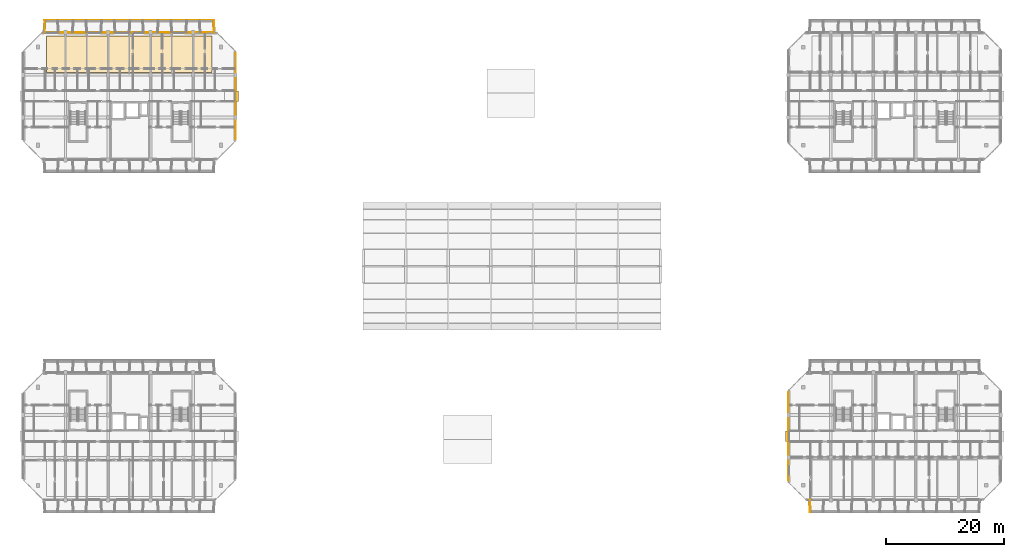
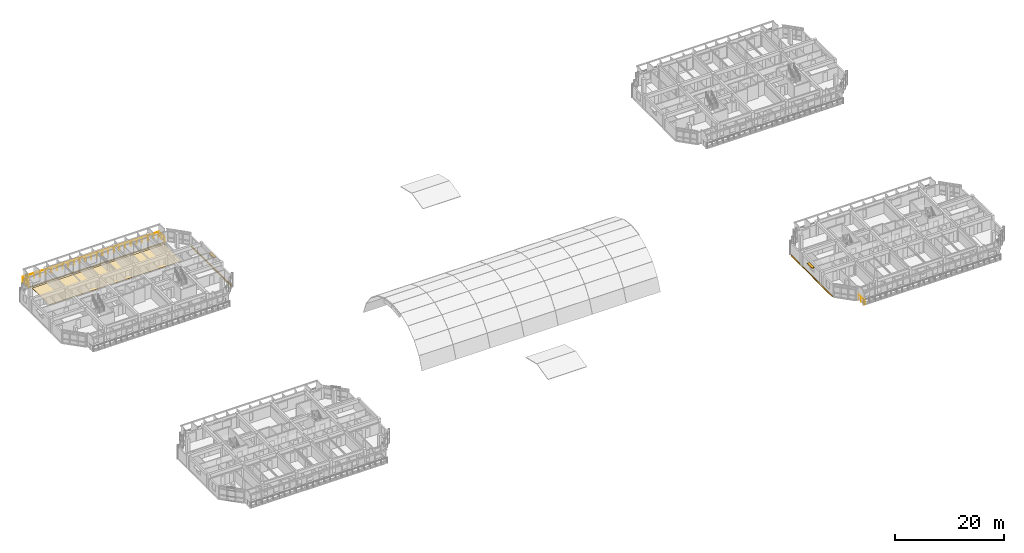
# One storey, part 46 of 51: 4 coverings, 4 railings, 2 shading devices.
"""IFC4 building model written with IfcOpenShell, lengths in metres."""

from ifc_helpers import new_model, si_unit, direction, frame, origin, origin_2d, place, context, subcontext, project, spatial, polyline, rectangle, circle, outline, extrude, material, layer, layer_set, type_object, element, save


model = new_model("IFC4")

# Units and contexts
model_context = context("Model", 3, precision=1e-05, world=origin(), true_north=direction((0.0, 1.0)))
body_context = subcontext(model_context, "Body", "Model", "MODEL_VIEW")
ifc_project = project(units=[si_unit("LENGTHUNIT", "METRE"), si_unit("AREAUNIT", "SQUARE_METRE"), si_unit("VOLUMEUNIT", "CUBIC_METRE"), si_unit("PLANEANGLEUNIT", "RADIAN"), si_unit("MASSUNIT", "GRAM", prefix="KILO")], contexts=[model_context])

# Site, building, storey
site_placement = place(None, origin())
site = spatial("IfcSite", under=ifc_project, at=site_placement, CompositionType="ELEMENT")
building_placement = place(site_placement, origin())
building = spatial("IfcBuilding", under=site, at=building_placement, Name="Ochrevale Crest", CompositionType="ELEMENT")
storey_placement = place(building_placement, frame((0.0, 0.0, 11.85009765625)))
storey = spatial("IfcBuildingStorey", under=building, at=storey_placement, Name="L03", CompositionType="ELEMENT", Elevation=11.85009765625)

# Coverings
ifc_material_1 = material(Name="Glazed terracotta rainscreen tile", Category="masonry")
ifc_layer_1 = layer(ifc_material_1, 0.048095703125)
ifc_layer_set_1 = layer_set([ifc_layer_1], Name="Glazed terracotta rainscreen tile")
covering_type_1 = type_object("IfcCoveringType", Name="COV-CLAD-TER", PredefinedType="CLADDING", material=ifc_layer_set_1)
covering_1_placement = place(storey_placement, frame((36.014404296875, 82.800048828125, -0.26025390625), z_axis=(0.0, 0.0, 1.0), x_axis=(0.0, 1.0, 0.0)))
element("IfcCovering", 1, at=covering_1_placement, inside=storey, type_object=covering_type_1, Name="Block B L03 terracotta slab-edge spandrel cladding", PredefinedType="CLADDING", context=body_context, shape_type="SweptSolid", body=[
    extrude(rectangle(XDim=14.60009765625, YDim=0.06005859375, at=origin_2d()), origin(), (0.0, 0.0, 1.0), 0.280029296875),
])
covering_2_placement = place(storey_placement, frame((18.0, 93.612548828125, -0.26025390625), z_axis=(0.0, 0.0, 1.0), x_axis=(-1.0, 0.0, 0.0)))
element("IfcCovering", 2, at=covering_2_placement, inside=storey, type_object=covering_type_1, Name="Block B L03 terracotta slab-edge spandrel cladding", PredefinedType="CLADDING", context=body_context, shape_type="SweptSolid", body=[
    extrude(rectangle(XDim=29.0, YDim=0.06005859375, at=origin_2d()), origin(), (0.0, 0.0, 1.0), 0.280029296875),
])
covering_3_placement = place(storey_placement, frame((129.58544921875, 25.199951171875, -0.26025390625), z_axis=(0.0, 0.0, 1.0), x_axis=(0.0, -1.0, 0.0)))
element("IfcCovering", 3, at=covering_3_placement, inside=storey, type_object=covering_type_1, Name="Block C L03 terracotta slab-edge spandrel cladding", PredefinedType="CLADDING", context=body_context, shape_type="SweptSolid", body=[
    extrude(rectangle(XDim=15.0, YDim=0.06005859375, at=origin_2d()), origin(), (0.0, 0.0, 1.0), 0.280029296875),
])
ifc_material_2 = material(Name="Engineered spotted-gum hardwood flooring", Category="wood")
ifc_layer_2 = layer(ifc_material_2, 0.02001953125)
ifc_layer_set_2 = layer_set([ifc_layer_2], Name="Engineered spotted-gum hardwood flooring")
covering_type_2 = type_object("IfcCoveringType", Name="COV-FLR-TIM", PredefinedType="FLOORING", material=ifc_layer_set_2)
covering_4_placement = place(storey_placement, origin())
element("IfcCovering", 4, at=covering_4_placement, inside=storey, type_object=covering_type_2, Name="Block B L03 spotted-gum apartment flooring", PredefinedType="FLOORING", context=body_context, shape_type="SweptSolid", body=[
    extrude(outline(polyline([(4.0, 86.800048828125), (32.0, 86.800048828125), (32.0, 93.0), (4.0, 93.0), (4.0, 86.800048828125)])), origin(), (0.0, 0.0, 1.0), 0.02001953125),
])

# Railings
ifc_material_3 = material(Name="Galvanised steel", Category="steel")
railing_type = type_object("IfcRailingType", Name="RL-BAL-1100", PredefinedType="BALUSTRADE", material=ifc_material_3)
railing_1_placement = place(storey_placement, frame((3.60009765625, 95.639892578125, 0.0)))
element("IfcRailing", 5, at=railing_1_placement, inside=storey, type_object=railing_type, Name="Block B L03 N balcony front balustrade", PredefinedType="BALUSTRADE", context=body_context, shape_type="SweptSolid", body=[
    extrude(circle(Radius=0.02392578125, at=origin_2d()), frame((0.0, 0.0, 1.0859375), z_axis=(1.0, 0.0, 0.0), x_axis=(0.0, 1.0, 0.0)), (0.0, 0.0, 1.0), 28.7998046875),
    extrude(circle(Radius=0.02099609375, at=origin_2d()), origin(), (0.0, 0.0, 1.0), 1.06201171875),
    extrude(circle(Radius=0.02099609375, at=origin_2d()), frame((1.199951171875, 0.0, 0.0)), (0.0, 0.0, 1.0), 1.06201171875),
    extrude(circle(Radius=0.02099609375, at=origin_2d()), frame((2.39990234375, 0.0, 0.0)), (0.0, 0.0, 1.0), 1.06201171875),
    extrude(circle(Radius=0.02099609375, at=origin_2d()), frame((3.60009765625, 0.0, 0.0)), (0.0, 0.0, 1.0), 1.06201171875),
    extrude(circle(Radius=0.02099609375, at=origin_2d()), frame((4.800048828125, 0.0, 0.0)), (0.0, 0.0, 1.0), 1.06201171875),
    extrude(circle(Radius=0.02099609375, at=origin_2d()), frame((6.0, 0.0, 0.0)), (0.0, 0.0, 1.0), 1.06201171875),
    extrude(circle(Radius=0.02099609375, at=origin_2d()), frame((7.199951171875, 0.0, 0.0)), (0.0, 0.0, 1.0), 1.06201171875),
    extrude(circle(Radius=0.02099609375, at=origin_2d()), frame((8.39990234375, 0.0, 0.0)), (0.0, 0.0, 1.0), 1.06201171875),
    extrude(circle(Radius=0.02099609375, at=origin_2d()), frame((9.599853515625, 0.0, 0.0)), (0.0, 0.0, 1.0), 1.06201171875),
    extrude(circle(Radius=0.02099609375, at=origin_2d()), frame((10.7998046875, 0.0, 0.0)), (0.0, 0.0, 1.0), 1.06201171875),
    extrude(circle(Radius=0.02099609375, at=origin_2d()), frame((12.0, 0.0, 0.0)), (0.0, 0.0, 1.0), 1.06201171875),
    extrude(circle(Radius=0.02099609375, at=origin_2d()), frame((13.199951171875, 0.0, 0.0)), (0.0, 0.0, 1.0), 1.06201171875),
    extrude(circle(Radius=0.02099609375, at=origin_2d()), frame((14.39990234375, 0.0, 0.0)), (0.0, 0.0, 1.0), 1.06201171875),
    extrude(circle(Radius=0.02099609375, at=origin_2d()), frame((15.599853515625, 0.0, 0.0)), (0.0, 0.0, 1.0), 1.06201171875),
    extrude(circle(Radius=0.02099609375, at=origin_2d()), frame((16.7998046875, 0.0, 0.0)), (0.0, 0.0, 1.0), 1.06201171875),
    extrude(circle(Radius=0.02099609375, at=origin_2d()), frame((18.0, 0.0, 0.0)), (0.0, 0.0, 1.0), 1.06201171875),
    extrude(circle(Radius=0.02099609375, at=origin_2d()), frame((19.199951171875, 0.0, 0.0)), (0.0, 0.0, 1.0), 1.06201171875),
    extrude(circle(Radius=0.02099609375, at=origin_2d()), frame((20.39990234375, 0.0, 0.0)), (0.0, 0.0, 1.0), 1.06201171875),
    extrude(circle(Radius=0.02099609375, at=origin_2d()), frame((21.599853515625, 0.0, 0.0)), (0.0, 0.0, 1.0), 1.06201171875),
    extrude(circle(Radius=0.02099609375, at=origin_2d()), frame((22.7998046875, 0.0, 0.0)), (0.0, 0.0, 1.0), 1.06201171875),
    extrude(circle(Radius=0.02099609375, at=origin_2d()), frame((23.999755859375, 0.0, 0.0)), (0.0, 0.0, 1.0), 1.06201171875),
    extrude(circle(Radius=0.02099609375, at=origin_2d()), frame((25.19970703125, 0.0, 0.0)), (0.0, 0.0, 1.0), 1.06201171875),
    extrude(circle(Radius=0.02099609375, at=origin_2d()), frame((26.39990234375, 0.0, 0.0)), (0.0, 0.0, 1.0), 1.06201171875),
    extrude(circle(Radius=0.02099609375, at=origin_2d()), frame((27.599853515625, 0.0, 0.0)), (0.0, 0.0, 1.0), 1.06201171875),
    extrude(circle(Radius=0.02099609375, at=origin_2d()), frame((28.7998046875, 0.0, 0.0)), (0.0, 0.0, 1.0), 1.06201171875),
])
for number, where, name in (
    (6, (3.659912109375, 93.60009765625, 0.0), "Block B L03 N-W balcony side guard"),
    (7, (32.340087890625, 93.60009765625, 0.0), "Block B L03 N-E balcony side guard"),
):
    element("IfcRailing", number, at=place(storey_placement, frame(where)), inside=storey, type_object=railing_type, Name=name, PredefinedType="BALUSTRADE", context=body_context, shape_type="SweptSolid", body=[
        extrude(circle(Radius=0.02392578125, at=origin_2d()), frame((0.0, 0.0, 1.0859375), z_axis=(0.0, 1.0, 0.0), x_axis=(-1.0, 0.0, 0.0)), (0.0, 0.0, 1.0), 2.039794921875),
        extrude(circle(Radius=0.02099609375, at=origin_2d()), origin(), (0.0, 0.0, 1.0), 1.06201171875),
        extrude(circle(Radius=0.02099609375, at=origin_2d()), frame((0.0, 1.02001953125, 0.0)), (0.0, 0.0, 1.0), 1.06201171875),
        extrude(circle(Radius=0.02099609375, at=origin_2d()), frame((0.0, 2.039794921875, 0.0)), (0.0, 0.0, 1.0), 1.06201171875),
    ])
railing_2_placement = place(storey_placement, frame((133.260009765625, 14.39990234375, 0.0)))
element("IfcRailing", 8, at=railing_2_placement, inside=storey, type_object=railing_type, Name="Block C L03 S-W balcony side guard", PredefinedType="BALUSTRADE", context=body_context, shape_type="SweptSolid", body=[
    extrude(circle(Radius=0.02392578125, at=origin_2d()), frame((0.0, 0.0, 1.0859375), z_axis=(0.0, -1.0, 0.0), x_axis=(1.0, 0.0, 0.0)), (0.0, 0.0, 1.0), 2.039794921875),
    extrude(circle(Radius=0.02099609375, at=origin_2d()), origin(), (0.0, 0.0, 1.0), 1.06201171875),
    extrude(circle(Radius=0.02099609375, at=origin_2d()), frame((0.0, -1.02001953125, 0.0)), (0.0, 0.0, 1.0), 1.06201171875),
    extrude(circle(Radius=0.02099609375, at=origin_2d()), frame((0.0, -2.039794921875, 0.0)), (0.0, 0.0, 1.0), 1.06201171875),
])

# Shading devices
ifc_material_4 = material(Name="Anodised aluminium 6063-T5", Category="aluminium")
shading_device_type = type_object("IfcShadingDeviceType", Name="SHD-SUNSHADE-OC", PredefinedType="USERDEFINED", material=ifc_material_4)
for number, where, z_axis, x_axis, name in (
    (9, (36.239990234375, 82.800048828125, 2.2099609375), (0.0, 0.0, 1.0), (1.0, 0.0, 0.0), "Block B L03 gable window sunshade E"),
    (10, (129.360107421875, 25.199951171875, 2.2099609375), (0.0, 0.0, 1.0), (1.0, 0.0, 0.0), "Block C L03 gable window sunshade W"),
):
    element("IfcShadingDevice", number, at=place(storey_placement, frame(where, z_axis=z_axis, x_axis=x_axis)), inside=storey, type_object=shading_device_type, Name=name, ObjectType="HORIZONTAL SUNSHADE", PredefinedType="USERDEFINED", context=body_context, shape_type="SweptSolid", body=[
        extrude(rectangle(XDim=0.550048828125, YDim=1.800048828125, at=origin_2d()), origin(), (0.0, 0.0, 1.0), 0.139892578125),
    ])

save(model, "model.ifc")
